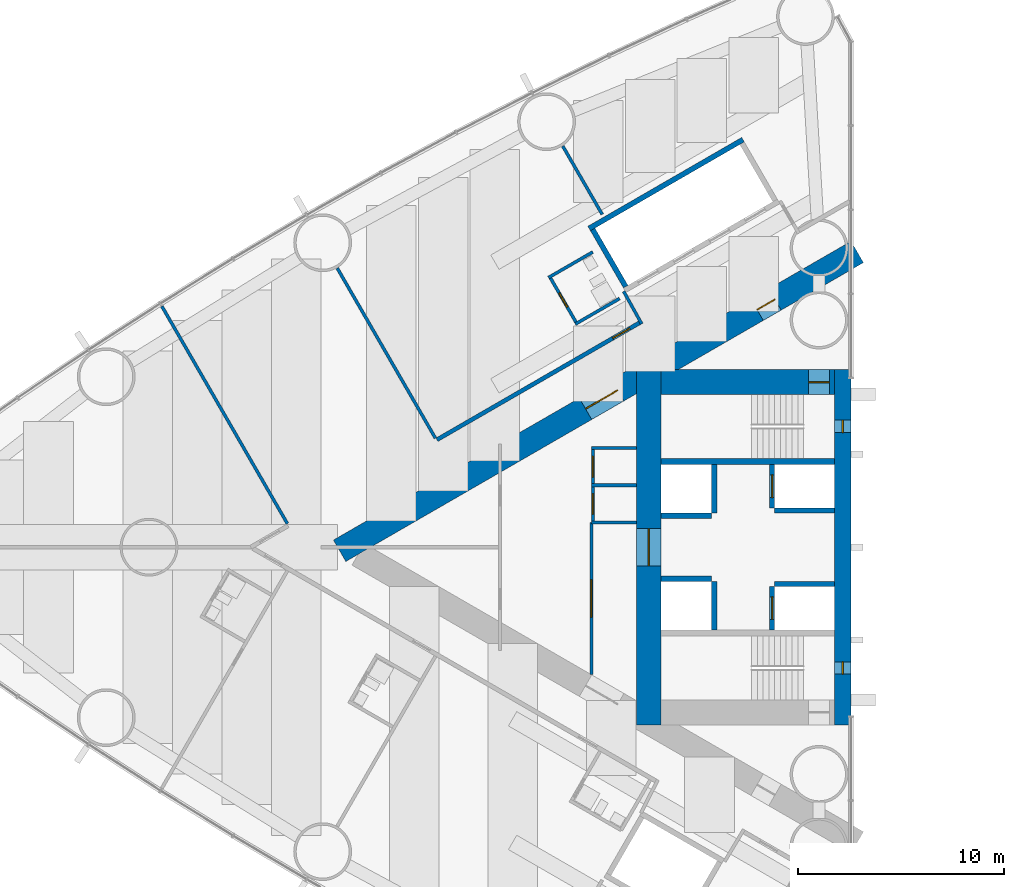
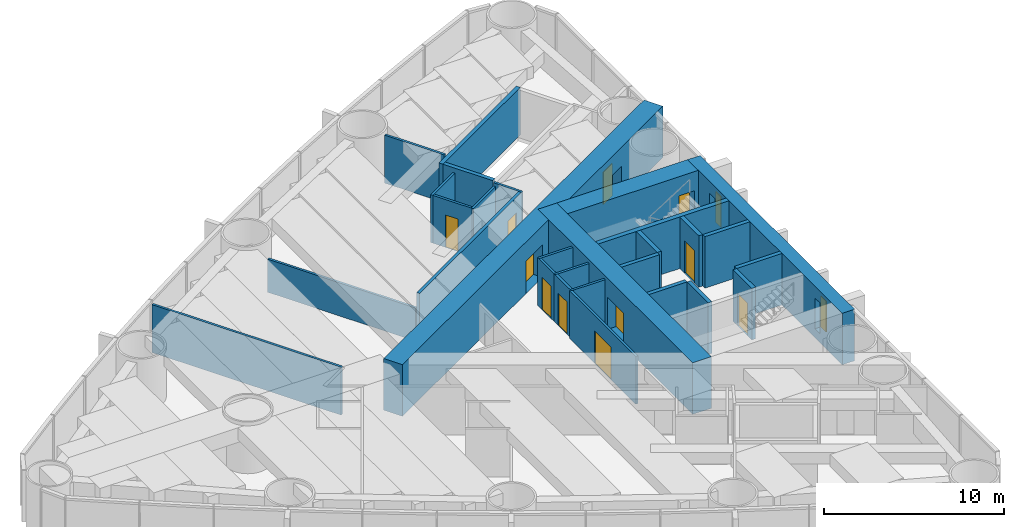
# One storey, part 12 of 19: 29 walls, 11 doors, 2 windows, 13 openings.
"""IFC4 building model written with IfcOpenShell, lengths in metres."""

from ifc_helpers import new_model, si_unit, direction, frame, frame_2d, origin, place, context, subcontext, project, spatial, rectangle, extrude, material, layer, layer_set, type_object, element, fill, save


model = new_model("IFC4")

# Units and contexts
model_context = context("Model", 3, precision=1e-05, world=origin(), true_north=direction((0.0, 1.0)))
body_context = subcontext(model_context, "Body", "Model", "MODEL_VIEW")
ifc_project = project(units=[si_unit("LENGTHUNIT", "METRE"), si_unit("AREAUNIT", "SQUARE_METRE"), si_unit("VOLUMEUNIT", "CUBIC_METRE"), si_unit("PLANEANGLEUNIT", "RADIAN"), si_unit("MASSUNIT", "GRAM", prefix="KILO")], contexts=[model_context])

# Site, building, storey
site_placement = place(None, origin())
site = spatial("IfcSite", under=ifc_project, at=site_placement, CompositionType="ELEMENT")
building_placement = place(site_placement, origin())
building = spatial("IfcBuilding", under=site, at=building_placement, Name="Lancet Gate Hotel", CompositionType="ELEMENT")
storey_placement = place(building_placement, frame((0.0, 0.0, 74.0)))
storey = spatial("IfcBuildingStorey", under=building, at=storey_placement, Name="L19", CompositionType="ELEMENT", Elevation=74.0)

# Wall
ifc_material_1 = material(Name="Moisture resistant board partition")
ifc_layer_1 = layer(ifc_material_1, 0.14990234375)
ifc_layer_set_1 = layer_set([ifc_layer_1], Name="Bathroom wall 150")
wall_type_1 = type_object("IfcWallType", Name="Bathroom wall 150", PredefinedType="PARTITIONING", material=ifc_layer_set_1)
wall_1_placement = place(storey_placement, frame((-40.009765625, 14.294189453125, 0.0), z_axis=(0.0, 0.0, 1.0), x_axis=(-0.866031185235, -0.4999899861, 0.0)))
element("IfcWall", 1, at=wall_1_placement, inside=storey, type_object=wall_type_1, Name="T1 bathroom wall 150 L19", PredefinedType="PARTITIONING", context=body_context, shape_type="SweptSolid", body=[
    extrude(rectangle(XDim=2.47509765625, YDim=0.14990234375, at=frame_2d((1.237548828125, 0.0))), origin(), (0.0, 0.0, 1.0), 3.25),
])

# Wall, opening, door
wall_2_placement = place(storey_placement, frame((-40.788330078125, 10.842529296875, 0.0), z_axis=(0.0, 0.0, 1.0), x_axis=(-0.500006934395, 0.866021400173, 0.0)))
wall_2 = element("IfcWall", 2, at=wall_2_placement, inside=storey, type_object=wall_type_1, Name="T1 bathroom wall 150 L19", PredefinedType="PARTITIONING", context=body_context, shape_type="SweptSolid", body=[
    extrude(rectangle(XDim=2.60009765625, YDim=0.14990234375, at=frame_2d((1.300048828125, 0.0))), origin(), (0.0, 0.0, 1.0), 3.25),
])
opening_1_placement = place(wall_2_placement, frame((0.89990234375, 0.0, 0.0)))
opening_1 = element("IfcOpeningElement", 3, at=opening_1_placement, cuts=wall_2, Name="Opening 1902-B", PredefinedType="OPENING", context=body_context, shape_type="SweptSolid", body=[
    extrude(rectangle(XDim=0.800048828125, YDim=2.199951171875, at=frame_2d((0.39990234375, 1.10009765625))), frame((0.0, 0.0849609375, 0.0), z_axis=(0.0, -1.0, 0.0), x_axis=(1.0, 0.0, 0.0)), (0.0, 0.0, 1.0), 0.169921875),
])
ifc_material_2 = material(Name="Timber door set", Category="wood")
door_type_1 = type_object("IfcDoorType", Name="Bathroom door 800", OperationType="SINGLE_SWING_RIGHT", PredefinedType="DOOR", material=ifc_material_2)
door_1_placement = place(opening_1_placement, origin())
door_1 = element("IfcDoor", 4, at=door_1_placement, inside=storey, type_object=door_type_1, Name="1902-B", OperationType="SINGLE_SWING_RIGHT", OverallHeight=2.199951171875, OverallWidth=0.800048828125, PredefinedType="DOOR", context=body_context, shape_type="SweptSolid", body=[
    extrude(rectangle(XDim=0.800048828125, YDim=2.199951171875, at=frame_2d((0.39990234375, 1.10009765625))), frame((0.0, 0.02490234375, 0.0), z_axis=(0.0, -1.0, 0.0), x_axis=(1.0, 0.0, 0.0)), (0.0, 0.0, 1.0), 0.050048828125),
])
fill(opening_1, door_1)

# Wall
wall_3_placement = place(storey_placement, frame((-38.7099609375, 12.04248046875, 0.0), z_axis=(0.0, 0.0, 1.0), x_axis=(-0.86604923931, -0.499958713387, 0.0)))
element("IfcWall", 5, at=wall_3_placement, inside=storey, type_object=wall_type_1, Name="T1 bathroom wall 150 L19", PredefinedType="PARTITIONING", context=body_context, shape_type="SweptSolid", body=[
    extrude(rectangle(XDim=2.474853515625, YDim=0.14990234375, at=frame_2d((1.2373046875, 0.0))), origin(), (0.0, 0.0, 1.0), 3.25),
])

# Wall, openings, doors
ifc_material_3 = material(Name="Concrete C70/85", Category="concrete")
ifc_layer_2 = layer(ifc_material_3, 1.199951171875)
ifc_layer_set_2 = layer_set([ifc_layer_2], Name="Buttress wall 1200")
wall_type_2 = type_object("IfcWallType", Name="Buttress wall 1200", PredefinedType="SHEAR", material=ifc_layer_set_2)
wall_4_placement = place(storey_placement, frame((-27.199951171875, 14.300048828125, 0.0), z_axis=(0.0, 0.0, 1.0), x_axis=(-0.866026593062, -0.499997940104, 0.0)))
wall_4 = element("IfcWall", 6, at=wall_4_placement, inside=storey, type_object=wall_type_2, Name="T1 buttress wall S L19", PredefinedType="SHEAR", context=body_context, shape_type="SweptSolid", body=[
    extrude(rectangle(XDim=28.9462890625, YDim=1.199951171875, at=frame_2d((14.47314453125, 0.0))), origin(), (0.0, 0.0, 1.0), 3.5),
])
opening_2_placement = place(wall_4_placement, frame((4.60009765625, 0.0, 0.0)))
opening_2 = element("IfcOpeningElement", 7, at=opening_2_placement, cuts=wall_4, Name="Opening T1-L19-LS", PredefinedType="OPENING", context=body_context, shape_type="SweptSolid", body=[
    extrude(rectangle(XDim=1.0, YDim=2.199951171875, at=frame_2d((0.5, 1.10009765625))), frame((0.0, 0.60986328125, 0.0), z_axis=(0.0, -1.0, 0.0), x_axis=(1.0, 0.0, 0.0)), (0.0, 0.0, 1.0), 1.219970703125),
])
opening_3_placement = place(wall_4_placement, frame((13.39453125, 0.0, 0.0)))
opening_3 = element("IfcOpeningElement", 8, at=opening_3_placement, cuts=wall_4, Name="Opening T1-L19-LHS", PredefinedType="OPENING", context=body_context, shape_type="SweptSolid", body=[
    extrude(rectangle(XDim=1.800048828125, YDim=2.199951171875, at=frame_2d((0.89990234375, 1.10009765625))), frame((0.0, 0.60986328125, 0.0), z_axis=(0.0, -1.0, 0.0), x_axis=(1.0, 0.0, 0.0)), (0.0, 0.0, 1.0), 1.219970703125),
])
ifc_material_4 = material(Name="Timber door set", Category="wood")
door_type_2 = type_object("IfcDoorType", Name="Lobby double door 1800", OperationType="DOUBLE_DOOR_SINGLE_SWING", PredefinedType="DOOR", material=ifc_material_4)
door_2_placement = place(opening_3_placement, origin())
door_2 = element("IfcDoor", 9, at=door_2_placement, inside=storey, type_object=door_type_2, Name="T1-L19-LHS", OperationType="DOUBLE_DOOR_SINGLE_SWING", OverallHeight=2.199951171875, OverallWidth=1.800048828125, PredefinedType="DOOR", context=body_context, shape_type="SweptSolid", body=[
    extrude(rectangle(XDim=1.800048828125, YDim=2.199951171875, at=frame_2d((0.89990234375, 1.10009765625))), frame((0.0, 0.02490234375, 0.0), z_axis=(0.0, -1.0, 0.0), x_axis=(1.0, 0.0, 0.0)), (0.0, 0.0, 1.0), 0.050048828125),
])
fill(opening_3, door_2)
ifc_material_5 = material(Name="Timber door set", Category="wood")
door_type_3 = type_object("IfcDoorType", Name="Stair lobby door 1000", OperationType="SINGLE_SWING_LEFT", PredefinedType="DOOR", material=ifc_material_5)
door_3_placement = place(opening_2_placement, origin())
door_3 = element("IfcDoor", 10, at=door_3_placement, inside=storey, type_object=door_type_3, Name="T1-L19-LS", OperationType="SINGLE_SWING_LEFT", OverallHeight=2.199951171875, OverallWidth=1.0, PredefinedType="DOOR", context=body_context, shape_type="SweptSolid", body=[
    extrude(rectangle(XDim=1.0, YDim=2.199951171875, at=frame_2d((0.5, 1.10009765625))), frame((0.0, 0.02490234375, 0.0), z_axis=(0.0, -1.0, 0.0), x_axis=(1.0, 0.0, 0.0)), (0.0, 0.0, 1.0), 0.050048828125),
])
fill(opening_2, door_3)

# Wall, opening, door
ifc_material_6 = material(Name="Concrete C70/85", Category="concrete")
ifc_layer_3 = layer(ifc_material_6, 1.199951171875)
ifc_layer_set_3 = layer_set([ifc_layer_3], Name="Core wall 1200")
wall_type_3 = type_object("IfcWallType", Name="Core wall 1200", PredefinedType="SHEAR", material=ifc_layer_set_3)
wall_5_placement = place(storey_placement, frame((-37.300048828125, 8.60009765625, 0.0), z_axis=(0.0, 0.0, 1.0), x_axis=(0.0, -1.0, 0.0)))
wall_5 = element("IfcWall", 11, at=wall_5_placement, inside=storey, type_object=wall_type_3, Name="T1 core wall back L19", PredefinedType="SHEAR", context=body_context, shape_type="SweptSolid", body=[
    extrude(rectangle(XDim=17.2001953125, YDim=1.199951171875, at=frame_2d((8.60009765625, 0.0))), origin(), (0.0, 0.0, 1.0), 3.5),
])
opening_4_placement = place(wall_5_placement, frame((7.699951171875, 0.0, 0.0)))
opening_4 = element("IfcOpeningElement", 12, at=opening_4_placement, cuts=wall_5, Name="Opening T1-L19-LL", PredefinedType="OPENING", context=body_context, shape_type="SweptSolid", body=[
    extrude(rectangle(XDim=1.800048828125, YDim=2.199951171875, at=frame_2d((0.89990234375, 1.10009765625))), frame((0.0, 0.60986328125, 0.0), z_axis=(0.0, -1.0, 0.0), x_axis=(1.0, 0.0, 0.0)), (0.0, 0.0, 1.0), 1.219970703125),
])
door_4_placement = place(opening_4_placement, origin())
door_4 = element("IfcDoor", 13, at=door_4_placement, inside=storey, type_object=door_type_2, Name="T1-L19-LL", OperationType="DOUBLE_DOOR_SINGLE_SWING", OverallHeight=2.199951171875, OverallWidth=1.800048828125, PredefinedType="DOOR", context=body_context, shape_type="SweptSolid", body=[
    extrude(rectangle(XDim=1.800048828125, YDim=2.199951171875, at=frame_2d((0.89990234375, 1.10009765625))), frame((0.0, 0.02490234375, 0.0), z_axis=(0.0, -1.0, 0.0), x_axis=(1.0, 0.0, 0.0)), (0.0, 0.0, 1.0), 0.050048828125),
])
fill(opening_4, door_4)

wall_6_placement = place(storey_placement, frame((-28.300048828125, 8.0, 0.0), z_axis=(0.0, 0.0, 1.0), x_axis=(-1.0, 0.0, 0.0)))
wall_6 = element("IfcWall", 14, at=wall_6_placement, inside=storey, type_object=wall_type_3, Name="T1 core wall side-S L19", PredefinedType="SHEAR", context=body_context, shape_type="SweptSolid", body=[
    extrude(rectangle(XDim=8.39990234375, YDim=1.199951171875, at=frame_2d((4.199951171875, 0.0))), origin(), (0.0, 0.0, 1.0), 3.5),
])
opening_5_placement = place(wall_6_placement, frame((0.25, 0.0, 0.0)))
opening_5 = element("IfcOpeningElement", 15, at=opening_5_placement, cuts=wall_6, Name="Opening T1-L19-ST1", PredefinedType="OPENING", context=body_context, shape_type="SweptSolid", body=[
    extrude(rectangle(XDim=1.0, YDim=2.199951171875, at=frame_2d((0.5, 1.10009765625))), frame((0.0, 0.60986328125, 0.0), z_axis=(0.0, -1.0, 0.0), x_axis=(1.0, 0.0, 0.0)), (0.0, 0.0, 1.0), 1.219970703125),
])
ifc_material_7 = material(Name="Timber door set", Category="wood")
door_type_4 = type_object("IfcDoorType", Name="Stair door 1000", OperationType="SINGLE_SWING_RIGHT", PredefinedType="DOOR", material=ifc_material_7)
door_5_placement = place(opening_5_placement, origin())
door_5 = element("IfcDoor", 16, at=door_5_placement, inside=storey, type_object=door_type_4, Name="T1-L19-ST1", OperationType="SINGLE_SWING_RIGHT", OverallHeight=2.199951171875, OverallWidth=1.0, PredefinedType="DOOR", context=body_context, shape_type="SweptSolid", body=[
    extrude(rectangle(XDim=1.0, YDim=2.199951171875, at=frame_2d((0.5, 1.10009765625))), frame((0.0, 0.02490234375, 0.0), z_axis=(0.0, -1.0, 0.0), x_axis=(1.0, 0.0, 0.0)), (0.0, 0.0, 1.0), 0.050048828125),
])
fill(opening_5, door_5)

# Wall, openings, windows
ifc_material_8 = material(Name="Concrete C70/85", Category="concrete")
ifc_layer_4 = layer(ifc_material_8, 0.800048828125)
ifc_layer_set_4 = layer_set([ifc_layer_4], Name="Core wall 800")
wall_type_4 = type_object("IfcWallType", Name="Core wall 800", PredefinedType="SHEAR", material=ifc_layer_set_4)
wall_7_placement = place(storey_placement, frame((-27.89990234375, 8.60009765625, 0.0), z_axis=(0.0, 0.0, 1.0), x_axis=(0.0, -1.0, 0.0)))
wall_7 = element("IfcWall", 17, at=wall_7_placement, inside=storey, type_object=wall_type_4, Name="T1 core wall front L19", PredefinedType="SHEAR", context=body_context, shape_type="SweptSolid", body=[
    extrude(rectangle(XDim=17.2001953125, YDim=0.800048828125, at=frame_2d((8.60009765625, 0.0))), origin(), (0.0, 0.0, 1.0), 3.5),
])
opening_6_placement = place(wall_7_placement, frame((2.449951171875, 0.0, 0.60009765625)))
opening_6 = element("IfcOpeningElement", 18, at=opening_6_placement, cuts=wall_7, Name="Opening LW1", PredefinedType="OPENING", context=body_context, shape_type="SweptSolid", body=[
    extrude(rectangle(XDim=0.60009765625, YDim=2.10009765625, at=frame_2d((0.300048828125, 1.050048828125))), frame((0.0, 0.409912109375, 0.0), z_axis=(0.0, -1.0, 0.0), x_axis=(1.0, 0.0, 0.0)), (0.0, 0.0, 1.0), 0.820068359375),
])
opening_7_placement = place(wall_7_placement, frame((14.14990234375, 0.0, 0.60009765625)))
opening_7 = element("IfcOpeningElement", 19, at=opening_7_placement, cuts=wall_7, Name="Opening LW1", PredefinedType="OPENING", context=body_context, shape_type="SweptSolid", body=[
    extrude(rectangle(XDim=0.60009765625, YDim=2.10009765625, at=frame_2d((0.300048828125, 1.050048828125))), frame((0.0, 0.409912109375, 0.0), z_axis=(0.0, -1.0, 0.0), x_axis=(1.0, 0.0, 0.0)), (0.0, 0.0, 1.0), 0.820068359375),
])
ifc_material_9 = material(Name="Fire-resisting glazed steel window", Category="steel")
window_type = type_object("IfcWindowType", Name="Lancet window 600x2100", PartitioningType="SINGLE_PANEL", PredefinedType="WINDOW", material=ifc_material_9)
window_1_placement = place(opening_6_placement, origin())
window_1 = element("IfcWindow", 20, at=window_1_placement, inside=storey, type_object=window_type, Name="T1 stair window S L19", OverallHeight=2.10009765625, OverallWidth=0.60009765625, PartitioningType="SINGLE_PANEL", PredefinedType="WINDOW", context=body_context, shape_type="SweptSolid", body=[
    extrude(rectangle(XDim=0.60009765625, YDim=2.10009765625, at=frame_2d((0.300048828125, 1.050048828125))), frame((0.0, 0.030029296875, 0.0), z_axis=(0.0, -1.0, 0.0), x_axis=(1.0, 0.0, 0.0)), (0.0, 0.0, 1.0), 0.06005859375),
])
fill(opening_6, window_1)
window_2_placement = place(opening_7_placement, origin())
window_2 = element("IfcWindow", 21, at=window_2_placement, inside=storey, type_object=window_type, Name="T1 stair window N L19", OverallHeight=2.10009765625, OverallWidth=0.60009765625, PartitioningType="SINGLE_PANEL", PredefinedType="WINDOW", context=body_context, shape_type="SweptSolid", body=[
    extrude(rectangle(XDim=0.60009765625, YDim=2.10009765625, at=frame_2d((0.300048828125, 1.050048828125))), frame((0.0, 0.030029296875, 0.0), z_axis=(0.0, -1.0, 0.0), x_axis=(1.0, 0.0, 0.0)), (0.0, 0.0, 1.0), 0.06005859375),
])
fill(opening_7, window_2)

# Wall, opening, door
ifc_material_10 = material(Name="Gypsum board partition")
ifc_layer_5 = layer(ifc_material_10, 0.199951171875)
ifc_layer_set_5 = layer_set([ifc_layer_5], Name="Corridor wall 200")
wall_type_5 = type_object("IfcWallType", Name="Corridor wall 200", PredefinedType="PARTITIONING", material=ifc_layer_set_5)
wall_8_placement = place(storey_placement, frame((-37.699951171875, 10.8935546875, 0.0), z_axis=(0.0, 0.0, 1.0), x_axis=(-0.866024459167, -0.500001636122, 0.0)))
wall_8 = element("IfcWall", 22, at=wall_8_placement, inside=storey, type_object=wall_type_5, Name="T1 corridor wall 200 L19", PredefinedType="PARTITIONING", context=body_context, shape_type="SweptSolid", body=[
    extrude(rectangle(XDim=11.3798828125, YDim=0.199951171875, at=frame_2d((5.68994140625, 0.0))), origin(), (0.0, 0.0, 1.0), 3.25),
])
opening_8_placement = place(wall_8_placement, frame((0.60009765625, 0.0, 0.0)))
opening_8 = element("IfcOpeningElement", 23, at=opening_8_placement, cuts=wall_8, Name="Opening 1902-E", PredefinedType="OPENING", context=body_context, shape_type="SweptSolid", body=[
    extrude(rectangle(XDim=0.949951171875, YDim=2.199951171875, at=frame_2d((0.47509765625, 1.10009765625))), frame((0.0, 0.10986328125, 0.0), z_axis=(0.0, -1.0, 0.0), x_axis=(1.0, 0.0, 0.0)), (0.0, 0.0, 1.0), 0.219970703125),
])
ifc_material_11 = material(Name="Timber door set", Category="wood")
door_type_5 = type_object("IfcDoorType", Name="Guest room entry door 950", OperationType="SINGLE_SWING_LEFT", PredefinedType="DOOR", material=ifc_material_11)
door_6_placement = place(opening_8_placement, origin())
door_6 = element("IfcDoor", 24, at=door_6_placement, inside=storey, type_object=door_type_5, Name="1902-E", OperationType="SINGLE_SWING_LEFT", OverallHeight=2.199951171875, OverallWidth=0.949951171875, PredefinedType="DOOR", context=body_context, shape_type="SweptSolid", body=[
    extrude(rectangle(XDim=0.949951171875, YDim=2.199951171875, at=frame_2d((0.47509765625, 1.10009765625))), frame((0.0, 0.02490234375, 0.0), z_axis=(0.0, -1.0, 0.0), x_axis=(1.0, 0.0, 0.0)), (0.0, 0.0, 1.0), 0.050048828125),
])
fill(opening_8, door_6)

# Walls
ifc_material_12 = material(Name="Gypsum board partition")
ifc_layer_6 = layer(ifc_material_12, 0.25)
ifc_layer_set_6 = layer_set([ifc_layer_6], Name="Lift shaft partition 250")
wall_type_6 = type_object("IfcWallType", Name="Lift shaft partition 250", PredefinedType="PARTITIONING", material=ifc_layer_set_6)
wall_9_placement = place(storey_placement, frame((-32.735595703125, 19.73583984375, 0.0), z_axis=(0.0, 0.0, 1.0), x_axis=(-0.866028165386, -0.499995216735, 0.0)))
element("IfcWall", 25, at=wall_9_placement, inside=storey, type_object=wall_type_6, Name="T1 lift shaft wall LR L19", PredefinedType="PARTITIONING", context=body_context, shape_type="SweptSolid", body=[
    extrude(rectangle(XDim=8.60009765625, YDim=0.25, at=frame_2d((4.300048828125, 0.0))), origin(), (0.0, 0.0, 1.0), 3.25),
])
wall_10_placement = place(storey_placement, frame((-38.412841796875, 12.617919921875, 0.0), z_axis=(0.0, 0.0, 1.0), x_axis=(-0.499872130319, 0.866099216793, 0.0)))
element("IfcWall", 26, at=wall_10_placement, inside=storey, type_object=wall_type_6, Name="T1 lift shaft wall LR L19", PredefinedType="PARTITIONING", context=body_context, shape_type="SweptSolid", body=[
    extrude(rectangle(XDim=3.200439453125, YDim=0.25, at=frame_2d((1.60009765625, 0.0))), origin(), (0.0, 0.0, 1.0), 3.25),
])

# Wall, opening, door
ifc_material_13 = material(Name="Concrete C50/60", Category="concrete")
ifc_layer_7 = layer(ifc_material_13, 0.25)
ifc_layer_set_7 = layer_set([ifc_layer_7], Name="Lift shaft wall 250")
wall_type_7 = type_object("IfcWallType", Name="Lift shaft wall 250", PredefinedType="SHEAR", material=ifc_layer_set_7)
wall_11_placement = place(storey_placement, frame((-31.324951171875, 4.0, 0.0), z_axis=(0.0, 0.0, 1.0), x_axis=(0.0, -1.0, 0.0)))
wall_11 = element("IfcWall", 27, at=wall_11_placement, inside=storey, type_object=wall_type_7, Name="T1 core wall row1-S L19", PredefinedType="SHEAR", context=body_context, shape_type="SweptSolid", body=[
    extrude(rectangle(XDim=2.10009765625, YDim=0.25, at=frame_2d((1.050048828125, 0.0))), origin(), (0.0, 0.0, 1.0), 3.5),
])
opening_9_placement = place(wall_11_placement, frame((0.5, 0.0, 0.0)))
opening_9 = element("IfcOpeningElement", 28, at=opening_9_placement, cuts=wall_11, Name="Opening T1-SL1-L19", PredefinedType="OPENING", context=body_context, shape_type="SweptSolid", body=[
    extrude(rectangle(XDim=1.10009765625, YDim=2.199951171875, at=frame_2d((0.550048828125, 1.10009765625))), frame((0.0, 0.135009765625, 0.0), z_axis=(0.0, -1.0, 0.0), x_axis=(1.0, 0.0, 0.0)), (0.0, 0.0, 1.0), 0.27001953125),
])
ifc_material_14 = material(Name="Timber door set", Category="wood")
door_type_6 = type_object("IfcDoorType", Name="Service lift landing door 1100", OperationType="SLIDING_TO_LEFT", PredefinedType="USERDEFINED", material=ifc_material_14)
door_7_placement = place(opening_9_placement, origin())
door_7 = element("IfcDoor", 29, at=door_7_placement, inside=storey, type_object=door_type_6, Name="T1-SL1-L19", ObjectType="LIFT LANDING DOOR", OperationType="SLIDING_TO_LEFT", OverallHeight=2.199951171875, OverallWidth=1.10009765625, PredefinedType="USERDEFINED", context=body_context, shape_type="SweptSolid", body=[
    extrude(rectangle(XDim=1.10009765625, YDim=2.199951171875, at=frame_2d((0.550048828125, 1.10009765625))), frame((0.0, 0.02490234375, 0.0), z_axis=(0.0, -1.0, 0.0), x_axis=(1.0, 0.0, 0.0)), (0.0, 0.0, 1.0), 0.050048828125),
])
fill(opening_9, door_7)

# Walls
wall_12_placement = place(storey_placement, frame((-34.125, 4.0, 0.0), z_axis=(0.0, 0.0, 1.0), x_axis=(0.0, -1.0, 0.0)))
element("IfcWall", 30, at=wall_12_placement, inside=storey, type_object=wall_type_7, Name="T1 core wall row2-S L19", PredefinedType="SHEAR", context=body_context, shape_type="SweptSolid", body=[
    extrude(rectangle(XDim=2.35009765625, YDim=0.25, at=frame_2d((1.175048828125, 0.0))), origin(), (0.0, 0.0, 1.0), 3.5),
])
wall_13_placement = place(storey_placement, frame((-28.300048828125, 1.77490234375, 0.0), z_axis=(0.0, 0.0, 1.0), x_axis=(-1.0, 0.0, 0.0)))
element("IfcWall", 31, at=wall_13_placement, inside=storey, type_object=wall_type_7, Name="T1 core wall pass1-S L19", PredefinedType="SHEAR", context=body_context, shape_type="SweptSolid", body=[
    extrude(rectangle(XDim=2.89990234375, YDim=0.25, at=frame_2d((1.449951171875, 0.0))), origin(), (0.0, 0.0, 1.0), 3.5),
])
wall_14_placement = place(storey_placement, frame((-34.25, 1.52490234375, 0.0), z_axis=(0.0, 0.0, 1.0), x_axis=(-1.0, 0.0, 0.0)))
element("IfcWall", 32, at=wall_14_placement, inside=storey, type_object=wall_type_7, Name="T1 core wall pass2-S L19", PredefinedType="SHEAR", context=body_context, shape_type="SweptSolid", body=[
    extrude(rectangle(XDim=2.449951171875, YDim=0.25, at=frame_2d((1.22509765625, 0.0))), origin(), (0.0, 0.0, 1.0), 3.5),
])

# Wall, opening, door
wall_15_placement = place(storey_placement, frame((-31.324951171875, -1.89990234375, 0.0), z_axis=(0.0, 0.0, 1.0), x_axis=(0.0, -1.0, 0.0)))
wall_15 = element("IfcWall", 33, at=wall_15_placement, inside=storey, type_object=wall_type_7, Name="T1 core wall row1-N L19", PredefinedType="SHEAR", context=body_context, shape_type="SweptSolid", body=[
    extrude(rectangle(XDim=2.10009765625, YDim=0.25, at=frame_2d((1.050048828125, 0.0))), origin(), (0.0, 0.0, 1.0), 3.5),
])
opening_10_placement = place(wall_15_placement, frame((0.5, 0.0, 0.0)))
opening_10 = element("IfcOpeningElement", 34, at=opening_10_placement, cuts=wall_15, Name="Opening T1-FL2-L19", PredefinedType="OPENING", context=body_context, shape_type="SweptSolid", body=[
    extrude(rectangle(XDim=1.10009765625, YDim=2.199951171875, at=frame_2d((0.550048828125, 1.10009765625))), frame((0.0, 0.135009765625, 0.0), z_axis=(0.0, -1.0, 0.0), x_axis=(1.0, 0.0, 0.0)), (0.0, 0.0, 1.0), 0.27001953125),
])
ifc_material_15 = material(Name="Steel door set", Category="steel")
door_type_7 = type_object("IfcDoorType", Name="Firefighting lift landing door 1100", OperationType="SLIDING_TO_LEFT", PredefinedType="USERDEFINED", material=ifc_material_15)
door_8_placement = place(opening_10_placement, origin())
door_8 = element("IfcDoor", 35, at=door_8_placement, inside=storey, type_object=door_type_7, Name="T1-FL2-L19", ObjectType="LIFT LANDING DOOR", OperationType="SLIDING_TO_LEFT", OverallHeight=2.199951171875, OverallWidth=1.10009765625, PredefinedType="USERDEFINED", context=body_context, shape_type="SweptSolid", body=[
    extrude(rectangle(XDim=1.10009765625, YDim=2.199951171875, at=frame_2d((0.550048828125, 1.10009765625))), frame((0.0, 0.02490234375, 0.0), z_axis=(0.0, -1.0, 0.0), x_axis=(1.0, 0.0, 0.0)), (0.0, 0.0, 1.0), 0.050048828125),
])
fill(opening_10, door_8)

# Walls
wall_16_placement = place(storey_placement, frame((-34.125, -1.64990234375, 0.0), z_axis=(0.0, 0.0, 1.0), x_axis=(0.0, -1.0, 0.0)))
element("IfcWall", 36, at=wall_16_placement, inside=storey, type_object=wall_type_7, Name="T1 core wall row2-N L19", PredefinedType="SHEAR", context=body_context, shape_type="SweptSolid", body=[
    extrude(rectangle(XDim=2.35009765625, YDim=0.25, at=frame_2d((1.175048828125, 0.0))), origin(), (0.0, 0.0, 1.0), 3.5),
])
wall_17_placement = place(storey_placement, frame((-28.300048828125, -1.77490234375, 0.0), z_axis=(0.0, 0.0, 1.0), x_axis=(-1.0, 0.0, 0.0)))
element("IfcWall", 37, at=wall_17_placement, inside=storey, type_object=wall_type_7, Name="T1 core wall pass1-N L19", PredefinedType="SHEAR", context=body_context, shape_type="SweptSolid", body=[
    extrude(rectangle(XDim=2.89990234375, YDim=0.25, at=frame_2d((1.449951171875, 0.0))), origin(), (0.0, 0.0, 1.0), 3.5),
])
wall_18_placement = place(storey_placement, frame((-34.25, -1.52490234375, 0.0), z_axis=(0.0, 0.0, 1.0), x_axis=(-1.0, 0.0, 0.0)))
element("IfcWall", 38, at=wall_18_placement, inside=storey, type_object=wall_type_7, Name="T1 core wall pass2-N L19", PredefinedType="SHEAR", context=body_context, shape_type="SweptSolid", body=[
    extrude(rectangle(XDim=2.449951171875, YDim=0.25, at=frame_2d((1.22509765625, 0.0))), origin(), (0.0, 0.0, 1.0), 3.5),
])
ifc_material_16 = material(Name="Gypsum board partition")
ifc_layer_8 = layer(ifc_material_16, 0.14990234375)
ifc_layer_set_8 = layer_set([ifc_layer_8], Name="Party wall 150")
wall_type_8 = type_object("IfcWallType", Name="Party wall 150", PredefinedType="PARTITIONING", material=ifc_layer_set_8)
wall_19_placement = place(storey_placement, frame((-47.626708984375, 5.27783203125, 0.0), z_axis=(0.0, 0.0, 1.0), x_axis=(-0.500009844318, 0.86601972009, 0.0)))
element("IfcWall", 39, at=wall_19_placement, inside=storey, type_object=wall_type_8, Name="T1 party wall 150 L19", PredefinedType="PARTITIONING", context=body_context, shape_type="SweptSolid", body=[
    extrude(rectangle(XDim=9.510498046875, YDim=0.14990234375, at=frame_2d((4.75537109375, 0.0))), origin(), (0.0, 0.0, 1.0), 2.25),
])
wall_20_placement = place(storey_placement, frame((-54.796142578125, 1.138671875, 0.0), z_axis=(0.0, 0.0, 1.0), x_axis=(-0.499998860433, 0.866026061713, 0.0)))
element("IfcWall", 40, at=wall_20_placement, inside=storey, type_object=wall_type_8, Name="T1 party wall 150 L19", PredefinedType="PARTITIONING", context=body_context, shape_type="SweptSolid", body=[
    extrude(rectangle(XDim=12.15673828125, YDim=0.14990234375, at=frame_2d((6.078369140625, 0.0))), origin(), (0.0, 0.0, 1.0), 3.25),
])
wall_21_placement = place(storey_placement, frame((-39.55078125, 16.11865234375, 0.0), z_axis=(0.0, 0.0, 1.0), x_axis=(-0.500014214979, 0.866017196607, 0.0)))
element("IfcWall", 41, at=wall_21_placement, inside=storey, type_object=wall_type_8, Name="T1 party wall 150 L19", PredefinedType="PARTITIONING", context=body_context, shape_type="SweptSolid", body=[
    extrude(rectangle(XDim=3.81494140625, YDim=0.14990234375, at=frame_2d((1.907470703125, 0.0))), origin(), (0.0, 0.0, 1.0), 3.25),
])
ifc_material_17 = material(Name="Gypsum board partition")
ifc_layer_9 = layer(ifc_material_17, 0.14990234375)
ifc_layer_set_9 = layer_set([ifc_layer_9], Name="Service room wall 150")
wall_type_9 = type_object("IfcWallType", Name="Service room wall 150", PredefinedType="PARTITIONING", material=ifc_layer_set_9)
wall_22_placement = place(storey_placement, frame((-38.513427734375, 12.392333984375, 0.0), z_axis=(0.0, 0.0, 1.0), x_axis=(0.485585508183, -0.874189175317, 0.0)))
element("IfcWall", 42, at=wall_22_placement, inside=storey, type_object=wall_type_9, Name="T1 service room wall 150 L19", PredefinedType="PARTITIONING", context=body_context, shape_type="SweptSolid", body=[
    extrude(rectangle(XDim=1.804931640625, YDim=0.14990234375, at=frame_2d((0.90234375, 0.0))), origin(), (0.0, 0.0, 1.0), 3.25),
])
for number, where, z_axis, x_axis, name in (
    (43, (-37.89990234375, 1.199951171875, 0.0), (0.0, 0.0, 1.0), (-1.0, 0.0, 0.0), "T1 service room wall 150 L19"),
    (44, (-37.89990234375, 3.0, 0.0), (0.0, 0.0, 1.0), (-1.0, 0.0, 0.0), "T1 service room wall 150 L19"),
    (45, (-37.89990234375, 4.800048828125, 0.0), (0.0, 0.0, 1.0), (-1.0, 0.0, 0.0), "T1 service room wall 150 L19"),
):
    element("IfcWall", number, at=place(storey_placement, frame(where, z_axis=z_axis, x_axis=x_axis)), inside=storey, type_object=wall_type_9, Name=name, PredefinedType="PARTITIONING", context=body_context, shape_type="SweptSolid", body=[
        extrude(rectangle(XDim=2.175048828125, YDim=0.14990234375, at=frame_2d((1.08740234375, 0.0))), origin(), (0.0, 0.0, 1.0), 3.25),
    ])

# Wall, opening, door
wall_23_placement = place(storey_placement, frame((-40.0, 3.074951171875, 0.0), z_axis=(0.0, 0.0, 1.0), x_axis=(0.0, -1.0, 0.0)))
wall_23 = element("IfcWall", 46, at=wall_23_placement, inside=storey, type_object=wall_type_9, Name="T1 service room wall 150 L19", PredefinedType="PARTITIONING", context=body_context, shape_type="SweptSolid", body=[
    extrude(rectangle(XDim=1.949951171875, YDim=0.14990234375, at=frame_2d((0.97509765625, 0.0))), origin(), (0.0, 0.0, 1.0), 3.25),
])
opening_11_placement = place(wall_23_placement, frame((0.47509765625, 0.0, 0.0)))
opening_11 = element("IfcOpeningElement", 47, at=opening_11_placement, cuts=wall_23, Name="Opening T1-L19-HRS0", PredefinedType="OPENING", context=body_context, shape_type="SweptSolid", body=[
    extrude(rectangle(XDim=1.0, YDim=2.199951171875, at=frame_2d((0.5, 1.10009765625))), frame((0.0, 0.0849609375, 0.0), z_axis=(0.0, -1.0, 0.0), x_axis=(1.0, 0.0, 0.0)), (0.0, 0.0, 1.0), 0.169921875),
])
ifc_material_18 = material(Name="Timber door set", Category="wood")
door_type_8 = type_object("IfcDoorType", Name="Service door 1000", OperationType="SINGLE_SWING_LEFT", PredefinedType="DOOR", material=ifc_material_18)
door_9_placement = place(opening_11_placement, origin())
door_9 = element("IfcDoor", 48, at=door_9_placement, inside=storey, type_object=door_type_8, Name="T1-L19-HRS0", OperationType="SINGLE_SWING_LEFT", OverallHeight=2.199951171875, OverallWidth=1.0, PredefinedType="DOOR", context=body_context, shape_type="SweptSolid", body=[
    extrude(rectangle(XDim=1.0, YDim=2.199951171875, at=frame_2d((0.5, 1.10009765625))), frame((0.0, 0.02490234375, 0.0), z_axis=(0.0, -1.0, 0.0), x_axis=(1.0, 0.0, 0.0)), (0.0, 0.0, 1.0), 0.050048828125),
])
fill(opening_11, door_9)

wall_24_placement = place(storey_placement, frame((-40.0, 4.875, 0.0), z_axis=(0.0, 0.0, 1.0), x_axis=(0.0, -1.0, 0.0)))
wall_24 = element("IfcWall", 49, at=wall_24_placement, inside=storey, type_object=wall_type_9, Name="T1 service room wall 150 L19", PredefinedType="PARTITIONING", context=body_context, shape_type="SweptSolid", body=[
    extrude(rectangle(XDim=1.949951171875, YDim=0.14990234375, at=frame_2d((0.97509765625, 0.0))), origin(), (0.0, 0.0, 1.0), 3.25),
])
opening_12_placement = place(wall_24_placement, frame((0.47509765625, 0.0, 0.0)))
opening_12 = element("IfcOpeningElement", 50, at=opening_12_placement, cuts=wall_24, Name="Opening T1-L19-HRS1", PredefinedType="OPENING", context=body_context, shape_type="SweptSolid", body=[
    extrude(rectangle(XDim=1.0, YDim=2.199951171875, at=frame_2d((0.5, 1.10009765625))), frame((0.0, 0.0849609375, 0.0), z_axis=(0.0, -1.0, 0.0), x_axis=(1.0, 0.0, 0.0)), (0.0, 0.0, 1.0), 0.169921875),
])
door_10_placement = place(opening_12_placement, origin())
door_10 = element("IfcDoor", 51, at=door_10_placement, inside=storey, type_object=door_type_8, Name="T1-L19-HRS1", OperationType="SINGLE_SWING_LEFT", OverallHeight=2.199951171875, OverallWidth=1.0, PredefinedType="DOOR", context=body_context, shape_type="SweptSolid", body=[
    extrude(rectangle(XDim=1.0, YDim=2.199951171875, at=frame_2d((0.5, 1.10009765625))), frame((0.0, 0.02490234375, 0.0), z_axis=(0.0, -1.0, 0.0), x_axis=(1.0, 0.0, 0.0)), (0.0, 0.0, 1.0), 0.050048828125),
])
fill(opening_12, door_10)

wall_25_placement = place(storey_placement, frame((-40.074951171875, 1.199951171875, 0.0), z_axis=(0.0, 0.0, 1.0), x_axis=(0.0, -1.0, 0.0)))
wall_25 = element("IfcWall", 52, at=wall_25_placement, inside=storey, type_object=wall_type_9, Name="T1 service room wall 150 L19", PredefinedType="PARTITIONING", context=body_context, shape_type="SweptSolid", body=[
    extrude(rectangle(XDim=7.373779296875, YDim=0.14990234375, at=frame_2d((3.68701171875, 0.0))), origin(), (0.0, 0.0, 1.0), 3.25),
])
opening_13_placement = place(wall_25_placement, frame((2.786865234375, 0.0, 0.0)))
opening_13 = element("IfcOpeningElement", 53, at=opening_13_placement, cuts=wall_25, Name="Opening T1-L19-LH", PredefinedType="OPENING", context=body_context, shape_type="SweptSolid", body=[
    extrude(rectangle(XDim=1.800048828125, YDim=2.199951171875, at=frame_2d((0.89990234375, 1.10009765625))), frame((0.0, 0.0849609375, 0.0), z_axis=(0.0, -1.0, 0.0), x_axis=(1.0, 0.0, 0.0)), (0.0, 0.0, 1.0), 0.169921875),
])
door_11_placement = place(opening_13_placement, origin())
door_11 = element("IfcDoor", 54, at=door_11_placement, inside=storey, type_object=door_type_2, Name="T1-L19-LH", OperationType="DOUBLE_DOOR_SINGLE_SWING", OverallHeight=2.199951171875, OverallWidth=1.800048828125, PredefinedType="DOOR", context=body_context, shape_type="SweptSolid", body=[
    extrude(rectangle(XDim=1.800048828125, YDim=2.199951171875, at=frame_2d((0.89990234375, 1.10009765625))), frame((0.0, 0.02490234375, 0.0), z_axis=(0.0, -1.0, 0.0), x_axis=(1.0, 0.0, 0.0)), (0.0, 0.0, 1.0), 0.050048828125),
])
fill(opening_13, door_11)

# Wall
ifc_material_19 = material(Name="Concrete C50/60", Category="concrete")
ifc_layer_10 = layer(ifc_material_19, 0.300048828125)
ifc_layer_set_10 = layer_set([ifc_layer_10], Name="Stair enclosure wall 300")
wall_type_10 = type_object("IfcWallType", Name="Stair enclosure wall 300", PredefinedType="SHEAR", material=ifc_layer_set_10)
wall_26_placement = place(storey_placement, frame((-28.300048828125, 4.14990234375, 0.0), z_axis=(0.0, 0.0, 1.0), x_axis=(-1.0, 0.0, 0.0)))
element("IfcWall", 55, at=wall_26_placement, inside=storey, type_object=wall_type_10, Name="T1 core wall stair-S L19", PredefinedType="SHEAR", context=body_context, shape_type="SweptSolid", body=[
    extrude(rectangle(XDim=8.39990234375, YDim=0.300048828125, at=frame_2d((4.199951171875, 0.0))), origin(), (0.0, 0.0, 1.0), 3.5),
])

save(model, "model.ifc")
